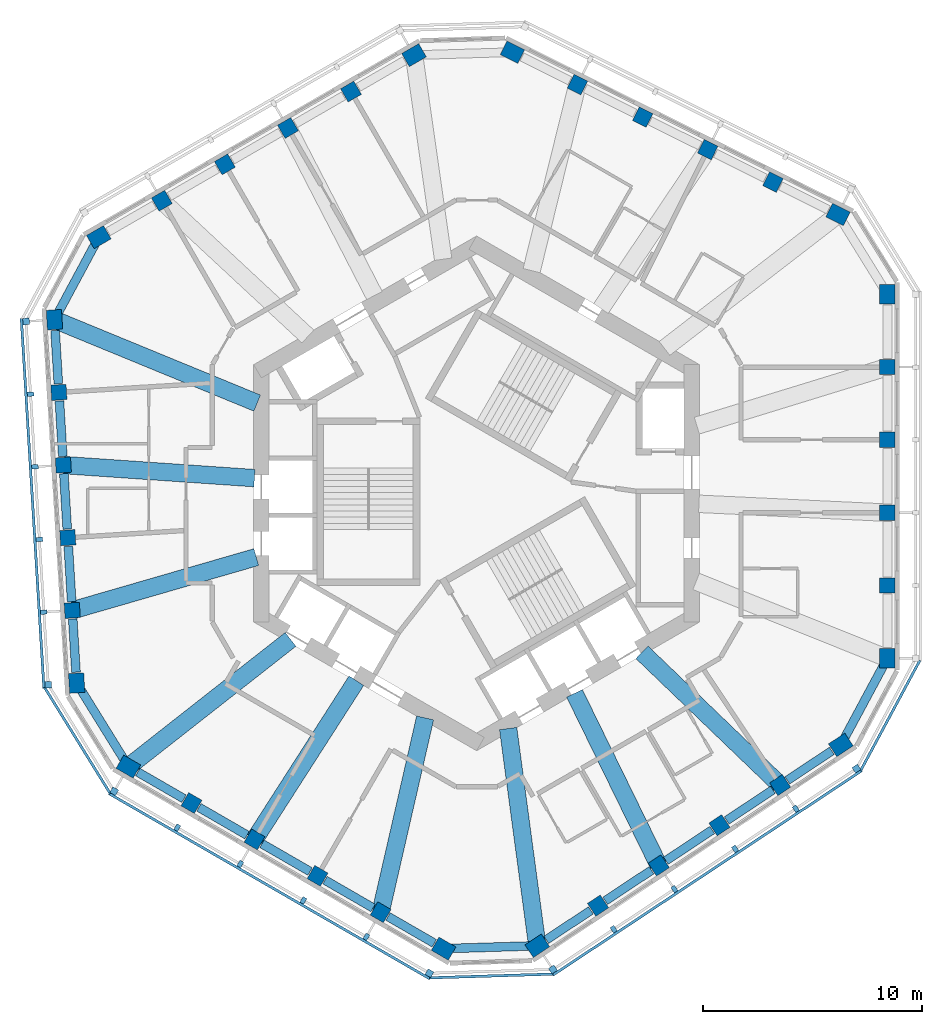
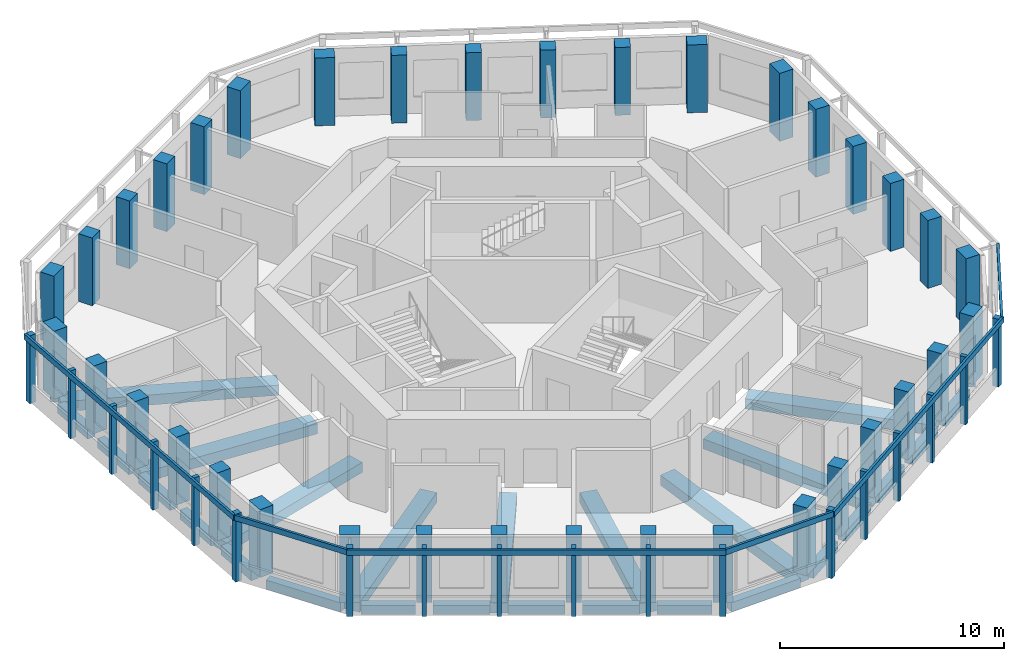
# One storey, part 1 of 11: 36 columns, 28 beams, 24 members, 6 elements without a shape of their own.
"""IFC4 building model written with IfcOpenShell, lengths in metres."""

from ifc_helpers import new_model, si_unit, direction, frame, origin, origin_2d, place, context, subcontext, project, spatial, rectangle, extrude, material, material_profile, profile_set, type_object, element, aggregate, save


model = new_model("IFC4")

# Units and contexts
model_context = context("Model", 3, precision=1e-05, world=origin(), true_north=direction((0.0, 1.0)))
body_context = subcontext(model_context, "Body", "Model", "MODEL_VIEW")
ifc_project = project(units=[si_unit("LENGTHUNIT", "METRE"), si_unit("AREAUNIT", "SQUARE_METRE"), si_unit("VOLUMEUNIT", "CUBIC_METRE"), si_unit("PLANEANGLEUNIT", "RADIAN"), si_unit("MASSUNIT", "GRAM", prefix="KILO")], contexts=[model_context])

# Site, building, storey
site_placement = place(None, origin())
site = spatial("IfcSite", under=ifc_project, at=site_placement, CompositionType="ELEMENT")
building_placement = place(site_placement, origin())
building = spatial("IfcBuilding", under=site, at=building_placement, Name="Vanh Sen Convention Tower", CompositionType="ELEMENT")
storey_placement = place(building_placement, frame((0.0, 0.0, 293.10009765625)))
storey = spatial("IfcBuildingStorey", under=building, at=storey_placement, Name="L72", CompositionType="ELEMENT", Elevation=293.10009765625)

# Columns
ifc_material_1 = material(Name="Concrete C60/75", Category="concrete")
ifc_material_profile_1 = material_profile(ifc_material_1, rectangle(XDim=0.699951171875, YDim=0.699951171875, at=origin_2d()), Name="RC 700X700")
ifc_profile_set_1 = profile_set([ifc_material_profile_1], Name="Concrete C60/75")
column_type_1 = type_object("IfcColumnType", Name="Facade column 700 x 700 C60/75", PredefinedType="COLUMN", material=ifc_profile_set_1)
for number, where, z_axis, x_axis, name in (
    (1, (18.800048828125, -4.215087890625, 0.0), (0.0, 0.0, 1.0), (0.0, 1.0, 0.0), "Facade column 02 L72"),
    (2, (18.800048828125, -0.88330078125, 0.0), (0.0, 0.0, 1.0), (0.0, 1.0, 0.0), "Facade column 03 L72"),
    (3, (18.800048828125, 2.4482421875, 0.0), (0.0, 0.0, 1.0), (0.0, 1.0, 0.0), "Facade column 04 L72"),
    (4, (18.800048828125, 5.77978515625, 0.0), (0.0, 0.0, 1.0), (0.0, 1.0, 0.0), "Facade column 05 L72"),
    (5, (13.56103515625, 14.245849609375, 0.0), (0.0, 0.0, 1.0), (-0.894934361602, 0.44619781311, 0.0), "Facade column 08 L72"),
    (6, (10.57958984375, 15.732421875, 0.0), (0.0, 0.0, 1.0), (-0.894934361602, 0.44619781311, 0.0), "Facade column 09 L72"),
    (7, (7.597900390625, 17.218994140625, 0.0), (0.0, 0.0, 1.0), (-0.894934361602, 0.44619781311, 0.0), "Facade column 10 L72"),
    (8, (4.6162109375, 18.70556640625, 0.0), (0.0, 0.0, 1.0), (-0.894934361602, 0.44619781311, 0.0), "Facade column 11 L72"),
    (9, (-5.74951171875, 18.388916015625, 0.0), (0.0, 0.0, 1.0), (-0.866025403784, -0.5, 0.0), "Facade column 14 L72"),
    (10, (-8.635009765625, 16.722900390625, 0.0), (0.0, 0.0, 1.0), (-0.866025403784, -0.5, 0.0), "Facade column 15 L72"),
    (11, (-11.520263671875, 15.05712890625, 0.0), (0.0, 0.0, 1.0), (-0.866025403784, -0.5, 0.0), "Facade column 16 L72"),
    (12, (-14.405517578125, 13.391357421875, 0.0), (0.0, 0.0, 1.0), (-0.866025403784, -0.5, 0.0), "Facade column 17 L72"),
    (13, (-19.117919921875, 4.621337890625, 0.0), (0.0, 0.0, 1.0), (0.061048539535, -0.998134798422, 0.0), "Facade column 20 L72"),
    (14, (-18.914306640625, 1.2958984375, 0.0), (0.0, 0.0, 1.0), (0.061048539535, -0.998134798422, 0.0), "Facade column 21 L72"),
    (15, (-18.7109375, -2.029541015625, 0.0), (0.0, 0.0, 1.0), (0.061048539535, -0.998134798422, 0.0), "Facade column 22 L72"),
    (16, (-18.507568359375, -5.35498046875, 0.0), (0.0, 0.0, 1.0), (0.061048539535, -0.998134798422, 0.0), "Facade column 23 L72"),
    (17, (-13.05029296875, -14.173583984375, 0.0), (0.0, 0.0, 1.0), (0.866025403784, -0.5, 0.0), "Facade column 26 L72"),
    (18, (-10.1650390625, -15.839599609375, 0.0), (0.0, 0.0, 1.0), (0.866025403784, -0.5, 0.0), "Facade column 27 L72"),
    (19, (-7.27978515625, -17.50537109375, 0.0), (0.0, 0.0, 1.0), (0.866025403784, -0.5, 0.0), "Facade column 28 L72"),
    (20, (-4.39453125, -19.171142578125, 0.0), (0.0, 0.0, 1.0), (0.866025403784, -0.5, 0.0), "Facade column 29 L72"),
    (21, (5.556640625, -18.8671875, 0.0), (0.0, 0.0, 1.0), (0.833885822067, 0.551936985312, 0.0), "Facade column 32 L72"),
    (22, (8.3349609375, -17.0283203125, 0.0), (0.0, 0.0, 1.0), (0.833885822067, 0.551936985312, 0.0), "Facade column 33 L72"),
    (23, (11.113037109375, -15.189453125, 0.0), (0.0, 0.0, 1.0), (0.833885822067, 0.551936985312, 0.0), "Facade column 34 L72"),
    (24, (13.891357421875, -13.3505859375, 0.0), (0.0, 0.0, 1.0), (0.833885822067, 0.551936985312, 0.0), "Facade column 35 L72"),
):
    element("IfcColumn", number, at=place(storey_placement, frame(where, z_axis=z_axis, x_axis=x_axis)), inside=storey, type_object=column_type_1, Name=name, PredefinedType="COLUMN", context=body_context, shape_type="SweptSolid", body=[
        extrude(rectangle(XDim=0.699951171875, YDim=0.699951171875, at=origin_2d()), origin(), (0.0, 0.0, 1.0), 3.699951171875),
    ])
ifc_material_profile_2 = material_profile(ifc_material_1, rectangle(XDim=0.89990234375, YDim=0.699951171875, at=origin_2d()), Name="RC 900X700")
ifc_profile_set_2 = profile_set([ifc_material_profile_2], Name="Concrete C60/75")
column_type_2 = type_object("IfcColumnType", Name="Facade corner column 900 x 700 C60/75", PredefinedType="COLUMN", material=ifc_profile_set_2)
for number, where, z_axis, x_axis, name in (
    (25, (18.800048828125, -7.546630859375, 0.0), (0.0, 0.0, 1.0), (0.0, 1.0, 0.0), "Facade column 01 L72"),
    (26, (18.800048828125, 9.111572265625, 0.0), (0.0, 0.0, 1.0), (0.0, 1.0, 0.0), "Facade column 06 L72"),
    (27, (16.542724609375, 12.75927734375, 0.0), (0.0, 0.0, 1.0), (-0.894934361602, 0.44619781311, 0.0), "Facade column 07 L72"),
    (28, (1.634765625, 20.192138671875, 0.0), (0.0, 0.0, 1.0), (-0.894934361602, 0.44619781311, 0.0), "Facade column 12 L72"),
    (29, (-2.8642578125, 20.0546875, 0.0), (0.0, 0.0, 1.0), (-0.866025403784, -0.5, 0.0), "Facade column 13 L72"),
    (30, (-17.290771484375, 11.7255859375, 0.0), (0.0, 0.0, 1.0), (-0.866025403784, -0.5, 0.0), "Facade column 18 L72"),
    (31, (-19.3212890625, 7.94677734375, 0.0), (0.0, 0.0, 1.0), (0.061048539535, -0.998134798422, 0.0), "Facade column 19 L72"),
    (32, (-18.30419921875, -8.680419921875, 0.0), (0.0, 0.0, 1.0), (0.061048539535, -0.998134798422, 0.0), "Facade column 24 L72"),
    (33, (-15.935791015625, -12.5078125, 0.0), (0.0, 0.0, 1.0), (0.866025403784, -0.5, 0.0), "Facade column 25 L72"),
    (34, (-1.50927734375, -20.8369140625, 0.0), (0.0, 0.0, 1.0), (0.866025403784, -0.5, 0.0), "Facade column 30 L72"),
    (35, (2.7783203125, -20.7060546875, 0.0), (0.0, 0.0, 1.0), (0.833885822067, 0.551936985312, 0.0), "Facade column 31 L72"),
    (36, (16.66943359375, -11.51171875, 0.0), (0.0, 0.0, 1.0), (0.833885822067, 0.551936985312, 0.0), "Facade column 36 L72"),
):
    element("IfcColumn", number, at=place(storey_placement, frame(where, z_axis=z_axis, x_axis=x_axis)), inside=storey, type_object=column_type_2, Name=name, PredefinedType="COLUMN", context=body_context, shape_type="SweptSolid", body=[
        extrude(rectangle(XDim=0.89990234375, YDim=0.699951171875, at=origin_2d()), origin(), (0.0, 0.0, 1.0), 3.699951171875),
    ])

# Curtain wall, members
ifc_material_2 = material(Name="Concrete C50/60", Category="concrete")
curtain_wall_type = type_object("IfcCurtainWallType", Name="Outer skin office zone", PredefinedType="NOTDEFINED", material=ifc_material_2)
curtain_wall_1_placement = place(storey_placement, origin())
curtain_wall_1 = element("IfcCurtainWall", 37, at=curtain_wall_1_placement, inside=storey, type_object=curtain_wall_type, Name="OUTER SKIN W L72", PredefinedType="NOTDEFINED")
ifc_material_profile_3 = material_profile(ifc_material_2, rectangle(XDim=0.300048828125, YDim=0.300048828125, at=origin_2d()), Name="Outer skin precast corner fin 300 x 300")
ifc_profile_set_3 = profile_set([ifc_material_profile_3], Name="Concrete C50/60")
member_type_1 = type_object("IfcMemberType", Name="Outer skin precast corner fin 300 x 300", PredefinedType="MULLION", material=ifc_profile_set_3)
member_1_placement = place(storey_placement, frame((-20.618896484375, 7.867431640625, 0.0), z_axis=(0.0, 0.0, 1.0), x_axis=(0.061048539535, -0.998134798422, 0.0)))
member_1 = element("IfcMember", 38, at=member_1_placement, type_object=member_type_1, Name="OUTER SKIN CORNER FIN 1 W L72", PredefinedType="MULLION", context=body_context, shape_type="SweptSolid", body=[
    extrude(rectangle(XDim=0.300048828125, YDim=0.300048828125, at=origin_2d()), origin(), (0.0, 0.0, 1.0), 3.699951171875),
])
member_2_placement = place(storey_placement, frame((-19.601806640625, -8.759765625, 0.0), z_axis=(0.0, 0.0, 1.0), x_axis=(0.061048539535, -0.998134798422, 0.0)))
member_2 = element("IfcMember", 39, at=member_2_placement, type_object=member_type_1, Name="OUTER SKIN CORNER FIN 6 W L72", PredefinedType="MULLION", context=body_context, shape_type="SweptSolid", body=[
    extrude(rectangle(XDim=0.300048828125, YDim=0.300048828125, at=origin_2d()), origin(), (0.0, 0.0, 1.0), 3.699951171875),
])

curtain_wall_2_placement = place(storey_placement, origin())
curtain_wall_2 = element("IfcCurtainWall", 40, at=curtain_wall_2_placement, inside=storey, type_object=curtain_wall_type, Name="OUTER SKIN SW L72", PredefinedType="NOTDEFINED")
member_3_placement = place(storey_placement, frame((-16.585693359375, -13.6337890625, 0.0), z_axis=(0.0, 0.0, 1.0), x_axis=(0.866025403784, -0.5, 0.0)))
member_3 = element("IfcMember", 41, at=member_3_placement, type_object=member_type_1, Name="OUTER SKIN CORNER FIN 1 SW L72", PredefinedType="MULLION", context=body_context, shape_type="SweptSolid", body=[
    extrude(rectangle(XDim=0.300048828125, YDim=0.300048828125, at=origin_2d()), origin(), (0.0, 0.0, 1.0), 3.699951171875),
])
member_4_placement = place(storey_placement, frame((-2.1591796875, -21.962890625, 0.0), z_axis=(0.0, 0.0, 1.0), x_axis=(0.866025403784, -0.5, 0.0)))
member_4 = element("IfcMember", 42, at=member_4_placement, type_object=member_type_1, Name="OUTER SKIN CORNER FIN 6 SW L72", PredefinedType="MULLION", context=body_context, shape_type="SweptSolid", body=[
    extrude(rectangle(XDim=0.300048828125, YDim=0.300048828125, at=origin_2d()), origin(), (0.0, 0.0, 1.0), 3.699951171875),
])

curtain_wall_3_placement = place(storey_placement, origin())
curtain_wall_3 = element("IfcCurtainWall", 43, at=curtain_wall_3_placement, inside=storey, type_object=curtain_wall_type, Name="OUTER SKIN SE L72", PredefinedType="NOTDEFINED")
member_5_placement = place(storey_placement, frame((3.495849609375, -21.7900390625, 0.0), z_axis=(0.0, 0.0, 1.0), x_axis=(0.833885822067, 0.551936985312, 0.0)))
member_5 = element("IfcMember", 44, at=member_5_placement, type_object=member_type_1, Name="OUTER SKIN CORNER FIN 1 SE L72", PredefinedType="MULLION", context=body_context, shape_type="SweptSolid", body=[
    extrude(rectangle(XDim=0.300048828125, YDim=0.300048828125, at=origin_2d()), origin(), (0.0, 0.0, 1.0), 3.699951171875),
])
member_6_placement = place(storey_placement, frame((17.386962890625, -12.595703125, 0.0), z_axis=(0.0, 0.0, 1.0), x_axis=(0.833885822067, 0.551936985312, 0.0)))
member_6 = element("IfcMember", 45, at=member_6_placement, type_object=member_type_1, Name="OUTER SKIN CORNER FIN 6 SE L72", PredefinedType="MULLION", context=body_context, shape_type="SweptSolid", body=[
    extrude(rectangle(XDim=0.300048828125, YDim=0.300048828125, at=origin_2d()), origin(), (0.0, 0.0, 1.0), 3.699951171875),
])

# Member
ifc_material_profile_4 = material_profile(ifc_material_2, rectangle(XDim=0.199951171875, YDim=0.300048828125, at=origin_2d()), Name="Outer skin precast fin 200 x 300")
ifc_profile_set_4 = profile_set([ifc_material_profile_4], Name="Concrete C50/60")
member_type_2 = type_object("IfcMemberType", Name="Outer skin precast fin 200 x 300", PredefinedType="MULLION", material=ifc_profile_set_4)
member_7_placement = place(storey_placement, frame((-20.415283203125, 4.5419921875, 0.0), z_axis=(0.0, 0.0, 1.0), x_axis=(0.061048539535, -0.998134798422, 0.0)))
member_7 = element("IfcMember", 46, at=member_7_placement, type_object=member_type_2, Name="OUTER SKIN fin 2 W L72", PredefinedType="MULLION", context=body_context, shape_type="SweptSolid", body=[
    extrude(rectangle(XDim=0.199951171875, YDim=0.300048828125, at=origin_2d()), origin(), (0.0, 0.0, 1.0), 3.699951171875),
])

member_8_placement = place(storey_placement, frame((-20.2119140625, 1.216552734375, 0.0), z_axis=(0.0, 0.0, 1.0), x_axis=(0.061048539535, -0.998134798422, 0.0)))
member_8 = element("IfcMember", 47, at=member_8_placement, type_object=member_type_2, Name="OUTER SKIN fin 3 W L72", PredefinedType="MULLION", context=body_context, shape_type="SweptSolid", body=[
    extrude(rectangle(XDim=0.199951171875, YDim=0.300048828125, at=origin_2d()), origin(), (0.0, 0.0, 1.0), 3.699951171875),
])

member_9_placement = place(storey_placement, frame((-20.008544921875, -2.10888671875, 0.0), z_axis=(0.0, 0.0, 1.0), x_axis=(0.061048539535, -0.998134798422, 0.0)))
member_9 = element("IfcMember", 48, at=member_9_placement, type_object=member_type_2, Name="OUTER SKIN fin 4 W L72", PredefinedType="MULLION", context=body_context, shape_type="SweptSolid", body=[
    extrude(rectangle(XDim=0.199951171875, YDim=0.300048828125, at=origin_2d()), origin(), (0.0, 0.0, 1.0), 3.699951171875),
])

member_10_placement = place(storey_placement, frame((-19.80517578125, -5.434326171875, 0.0), z_axis=(0.0, 0.0, 1.0), x_axis=(0.061048539535, -0.998134798422, 0.0)))
member_10 = element("IfcMember", 49, at=member_10_placement, type_object=member_type_2, Name="OUTER SKIN fin 5 W L72", PredefinedType="MULLION", context=body_context, shape_type="SweptSolid", body=[
    extrude(rectangle(XDim=0.199951171875, YDim=0.300048828125, at=origin_2d()), origin(), (0.0, 0.0, 1.0), 3.699951171875),
])

member_11_placement = place(storey_placement, frame((-13.700439453125, -15.299560546875, 0.0), z_axis=(0.0, 0.0, 1.0), x_axis=(0.866025403784, -0.5, 0.0)))
member_11 = element("IfcMember", 50, at=member_11_placement, type_object=member_type_2, Name="OUTER SKIN fin 2 SW L72", PredefinedType="MULLION", context=body_context, shape_type="SweptSolid", body=[
    extrude(rectangle(XDim=0.199951171875, YDim=0.300048828125, at=origin_2d()), origin(), (0.0, 0.0, 1.0), 3.699951171875),
])

member_12_placement = place(storey_placement, frame((-10.815185546875, -16.96533203125, 0.0), z_axis=(0.0, 0.0, 1.0), x_axis=(0.866025403784, -0.5, 0.0)))
member_12 = element("IfcMember", 51, at=member_12_placement, type_object=member_type_2, Name="OUTER SKIN fin 3 SW L72", PredefinedType="MULLION", context=body_context, shape_type="SweptSolid", body=[
    extrude(rectangle(XDim=0.199951171875, YDim=0.300048828125, at=origin_2d()), origin(), (0.0, 0.0, 1.0), 3.699951171875),
])

member_13_placement = place(storey_placement, frame((-7.9296875, -18.631103515625, 0.0), z_axis=(0.0, 0.0, 1.0), x_axis=(0.866025403784, -0.5, 0.0)))
member_13 = element("IfcMember", 52, at=member_13_placement, type_object=member_type_2, Name="OUTER SKIN fin 4 SW L72", PredefinedType="MULLION", context=body_context, shape_type="SweptSolid", body=[
    extrude(rectangle(XDim=0.199951171875, YDim=0.300048828125, at=origin_2d()), origin(), (0.0, 0.0, 1.0), 3.699951171875),
])

member_14_placement = place(storey_placement, frame((-5.04443359375, -20.297119140625, 0.0), z_axis=(0.0, 0.0, 1.0), x_axis=(0.866025403784, -0.5, 0.0)))
member_14 = element("IfcMember", 53, at=member_14_placement, type_object=member_type_2, Name="OUTER SKIN fin 5 SW L72", PredefinedType="MULLION", context=body_context, shape_type="SweptSolid", body=[
    extrude(rectangle(XDim=0.199951171875, YDim=0.300048828125, at=origin_2d()), origin(), (0.0, 0.0, 1.0), 3.699951171875),
])

member_15_placement = place(storey_placement, frame((6.274169921875, -19.951416015625, 0.0), z_axis=(0.0, 0.0, 1.0), x_axis=(0.833885822067, 0.551936985312, 0.0)))
member_15 = element("IfcMember", 54, at=member_15_placement, type_object=member_type_2, Name="OUTER SKIN fin 2 SE L72", PredefinedType="MULLION", context=body_context, shape_type="SweptSolid", body=[
    extrude(rectangle(XDim=0.199951171875, YDim=0.300048828125, at=origin_2d()), origin(), (0.0, 0.0, 1.0), 3.699951171875),
])

member_16_placement = place(storey_placement, frame((9.052490234375, -18.1123046875, 0.0), z_axis=(0.0, 0.0, 1.0), x_axis=(0.833885822067, 0.551936985312, 0.0)))
member_16 = element("IfcMember", 55, at=member_16_placement, type_object=member_type_2, Name="OUTER SKIN fin 3 SE L72", PredefinedType="MULLION", context=body_context, shape_type="SweptSolid", body=[
    extrude(rectangle(XDim=0.199951171875, YDim=0.300048828125, at=origin_2d()), origin(), (0.0, 0.0, 1.0), 3.699951171875),
])

member_17_placement = place(storey_placement, frame((11.83056640625, -16.273681640625, 0.0), z_axis=(0.0, 0.0, 1.0), x_axis=(0.833885822067, 0.551936985312, 0.0)))
member_17 = element("IfcMember", 56, at=member_17_placement, type_object=member_type_2, Name="OUTER SKIN fin 4 SE L72", PredefinedType="MULLION", context=body_context, shape_type="SweptSolid", body=[
    extrude(rectangle(XDim=0.199951171875, YDim=0.300048828125, at=origin_2d()), origin(), (0.0, 0.0, 1.0), 3.699951171875),
])

member_18_placement = place(storey_placement, frame((14.60888671875, -14.434814453125, 0.0), z_axis=(0.0, 0.0, 1.0), x_axis=(0.833885822067, 0.551936985312, 0.0)))
member_18 = element("IfcMember", 57, at=member_18_placement, type_object=member_type_2, Name="OUTER SKIN fin 5 SE L72", PredefinedType="MULLION", context=body_context, shape_type="SweptSolid", body=[
    extrude(rectangle(XDim=0.199951171875, YDim=0.300048828125, at=origin_2d()), origin(), (0.0, 0.0, 1.0), 3.699951171875),
])

ifc_material_profile_5 = material_profile(ifc_material_2, rectangle(XDim=0.1201171875, YDim=0.300048828125, at=origin_2d()), Name="Outer skin precast spandrel band 300 x 120")
ifc_profile_set_5 = profile_set([ifc_material_profile_5], Name="Concrete C50/60")
member_type_3 = type_object("IfcMemberType", Name="Outer skin precast spandrel band 300 x 120", PredefinedType="USERDEFINED", material=ifc_profile_set_5)
member_19_placement = place(storey_placement, frame((-20.83740234375, 8.00439453125, 3.5498046875), z_axis=(0.061040984027, -0.998135260508, 0.0), x_axis=(0.998135260508, 0.061040984027, 0.0)))
member_19 = element("IfcMember", 58, at=member_19_placement, type_object=member_type_3, Name="OUTER SKIN spandrel band W L72", ObjectType="TRANSOM", PredefinedType="USERDEFINED", context=body_context, shape_type="SweptSolid", body=[
    extrude(rectangle(XDim=0.1201171875, YDim=0.300048828125, at=origin_2d()), origin(), (0.0, 0.0, 1.0), 16.95849609375),
])

aggregate(curtain_wall_1, [member_1, member_7, member_8, member_9, member_10, member_2, member_19])

# Curtain wall, member
curtain_wall_4_placement = place(storey_placement, origin())
curtain_wall_4 = element("IfcCurtainWall", 59, at=curtain_wall_4_placement, inside=storey, type_object=curtain_wall_type, Name="OUTER SKIN CH4 L72", PredefinedType="NOTDEFINED")
member_20_placement = place(storey_placement, frame((-19.7802734375, -8.870361328125, 3.5498046875), z_axis=(0.526199162152, -0.850361359512, 0.0), x_axis=(0.850361359512, 0.526199162152, 0.0)))
member_20 = element("IfcMember", 60, at=member_20_placement, type_object=member_type_3, Name="OUTER SKIN spandrel band CH4 L72", ObjectType="TRANSOM", PredefinedType="USERDEFINED", context=body_context, shape_type="SweptSolid", body=[
    extrude(rectangle(XDim=0.1201171875, YDim=0.300048828125, at=origin_2d()), origin(), (0.0, 0.0, 1.0), 5.7314453125),
])
aggregate(curtain_wall_4, [member_20])

# Member
member_21_placement = place(storey_placement, frame((-16.820556640625, -13.740478515625, 3.5498046875), z_axis=(0.866022320763, -0.500005339912, 0.0), x_axis=(0.500005339912, 0.866022320763, 0.0)))
member_21 = element("IfcMember", 61, at=member_21_placement, type_object=member_type_3, Name="OUTER SKIN spandrel band SW L72", ObjectType="TRANSOM", PredefinedType="USERDEFINED", context=body_context, shape_type="SweptSolid", body=[
    extrude(rectangle(XDim=0.1201171875, YDim=0.300048828125, at=origin_2d()), origin(), (0.0, 0.0, 1.0), 16.958251953125),
])

aggregate(curtain_wall_2, [member_3, member_11, member_12, member_13, member_14, member_4, member_21])

# Curtain wall, member
curtain_wall_5_placement = place(storey_placement, origin())
curtain_wall_5 = element("IfcCurtainWall", 62, at=curtain_wall_5_placement, inside=storey, type_object=curtain_wall_type, Name="OUTER SKIN CH5 L72", PredefinedType="NOTDEFINED")
member_22_placement = place(storey_placement, frame((-2.15283203125, -22.172607421875, 3.5498046875), z_axis=(0.999534504066, 0.030508608314, 0.0), x_axis=(-0.030508608314, 0.999534504066, 0.0)))
member_22 = element("IfcMember", 63, at=member_22_placement, type_object=member_type_3, Name="OUTER SKIN spandrel band CH5 L72", ObjectType="TRANSOM", PredefinedType="USERDEFINED", context=body_context, shape_type="SweptSolid", body=[
    extrude(rectangle(XDim=0.1201171875, YDim=0.300048828125, at=origin_2d()), origin(), (0.0, 0.0, 1.0), 5.65771484375),
])
aggregate(curtain_wall_5, [member_22])

# Member
member_23_placement = place(storey_placement, frame((3.48681640625, -22.048095703125, 3.5498046875), z_axis=(0.833877443168, 0.551949644239, 0.0), x_axis=(-0.551949644239, 0.833877443168, 0.0)))
member_23 = element("IfcMember", 64, at=member_23_placement, type_object=member_type_3, Name="OUTER SKIN spandrel band SE L72", ObjectType="TRANSOM", PredefinedType="USERDEFINED", context=body_context, shape_type="SweptSolid", body=[
    extrude(rectangle(XDim=0.1201171875, YDim=0.300048828125, at=origin_2d()), origin(), (0.0, 0.0, 1.0), 16.958251953125),
])

aggregate(curtain_wall_3, [member_5, member_15, member_16, member_17, member_18, member_6, member_23])

# Curtain wall, member
curtain_wall_6_placement = place(storey_placement, origin())
curtain_wall_6 = element("IfcCurtainWall", 65, at=curtain_wall_6_placement, inside=storey, type_object=curtain_wall_type, Name="OUTER SKIN CH6 L72", PredefinedType="NOTDEFINED")
member_24_placement = place(storey_placement, frame((17.572021484375, -12.695068359375, 3.5498046875), z_axis=(0.473309680768, 0.880896104028, 0.0), x_axis=(-0.880896104028, 0.473309680768, 0.0)))
member_24 = element("IfcMember", 66, at=member_24_placement, type_object=member_type_3, Name="OUTER SKIN spandrel band CH6 L72", ObjectType="TRANSOM", PredefinedType="USERDEFINED", context=body_context, shape_type="SweptSolid", body=[
    extrude(rectangle(XDim=0.1201171875, YDim=0.300048828125, at=origin_2d()), origin(), (0.0, 0.0, 1.0), 5.731689453125),
])
aggregate(curtain_wall_6, [member_24])

# Beams
ifc_material_3 = material(Name="Concrete C50/60", Category="concrete")
ifc_material_profile_6 = material_profile(ifc_material_3, rectangle(XDim=0.800048828125, YDim=0.550048828125, at=origin_2d()), Name="RC 800X550")
ifc_profile_set_6 = profile_set([ifc_material_profile_6], Name="Concrete C50/60")
beam_type_1 = type_object("IfcBeamType", Name="Radial floor beam 800 x 550", PredefinedType="BEAM", material=ifc_profile_set_6)
beam_1_placement = place(storey_placement, frame((-19.1455078125, 7.87451171875, -0.55517578125), z_axis=(0.924833681103, -0.380371742243, 0.0), x_axis=(0.380371742243, 0.924833681103, 0.0)))
element("IfcBeam", 67, at=beam_1_placement, inside=storey, type_object=beam_type_1, Name="Radial beam 10 L72", PredefinedType="BEAM", context=body_context, shape_type="SweptSolid", body=[
    extrude(rectangle(XDim=0.800048828125, YDim=0.550048828125, at=origin_2d()), origin(), (0.0, 0.0, 1.0), 9.842041015625),
])
beam_2_placement = place(storey_placement, frame((-18.8935546875, 1.29443359375, -0.55517578125), z_axis=(0.997660687901, -0.06836045507, 0.0), x_axis=(0.06836045507, 0.997660687901, 0.0)))
element("IfcBeam", 68, at=beam_2_placement, inside=storey, type_object=beam_type_1, Name="Radial beam 11 L72", PredefinedType="BEAM", context=body_context, shape_type="SweptSolid", body=[
    extrude(rectangle(XDim=0.800048828125, YDim=0.550048828125, at=origin_2d()), origin(), (0.0, 0.0, 1.0), 8.746337890625),
])
beam_3_placement = place(storey_placement, frame((-18.469970703125, -5.343994140625, -0.55517578125), z_axis=(0.960602585622, 0.277925660017, 0.0), x_axis=(-0.277925660017, 0.960602585622, 0.0)))
element("IfcBeam", 69, at=beam_3_placement, inside=storey, type_object=beam_type_1, Name="Radial beam 12 L72", PredefinedType="BEAM", context=body_context, shape_type="SweptSolid", body=[
    extrude(rectangle(XDim=0.800048828125, YDim=0.550048828125, at=origin_2d()), origin(), (0.0, 0.0, 1.0), 8.72998046875),
])
beam_4_placement = place(storey_placement, frame((-15.769287109375, -12.377197265625, -0.55517578125), z_axis=(0.786644383436, 0.617406360518, 0.0), x_axis=(-0.617406360518, 0.786644383436, 0.0)))
element("IfcBeam", 70, at=beam_4_placement, inside=storey, type_object=beam_type_1, Name="Radial beam 13 L72", PredefinedType="BEAM", context=body_context, shape_type="SweptSolid", body=[
    extrude(rectangle(XDim=0.800048828125, YDim=0.550048828125, at=origin_2d()), origin(), (0.0, 0.0, 1.0), 9.220947265625),
])
beam_5_placement = place(storey_placement, frame((-10.162841796875, -15.836181640625, -0.55517578125), z_axis=(0.540095369263, 0.841603821344, 0.0), x_axis=(-0.841603821344, 0.540095369263, 0.0)))
element("IfcBeam", 71, at=beam_5_placement, inside=storey, type_object=beam_type_1, Name="Radial beam 14 L72", PredefinedType="BEAM", context=body_context, shape_type="SweptSolid", body=[
    extrude(rectangle(XDim=0.800048828125, YDim=0.550048828125, at=origin_2d()), origin(), (0.0, 0.0, 1.0), 8.62939453125),
])
beam_6_placement = place(storey_placement, frame((-4.382080078125, -19.117431640625, -0.55517578125), z_axis=(0.223412386111, 0.974724015161, 0.0), x_axis=(-0.974724015161, 0.223412386111, 0.0)))
element("IfcBeam", 72, at=beam_6_placement, inside=storey, type_object=beam_type_1, Name="Radial beam 15 L72", PredefinedType="BEAM", context=body_context, shape_type="SweptSolid", body=[
    extrude(rectangle(XDim=0.800048828125, YDim=0.550048828125, at=origin_2d()), origin(), (0.0, 0.0, 1.0), 9.070068359375),
])
beam_7_placement = place(storey_placement, frame((2.753173828125, -20.517578125, -0.55517578125), z_axis=(-0.133011855208, 0.991114446658, 0.0), x_axis=(-0.991114446658, -0.133011855208, 0.0)))
element("IfcBeam", 73, at=beam_7_placement, inside=storey, type_object=beam_type_1, Name="Radial beam 16 L72", PredefinedType="BEAM", context=body_context, shape_type="SweptSolid", body=[
    extrude(rectangle(XDim=0.800048828125, YDim=0.550048828125, at=origin_2d()), origin(), (0.0, 0.0, 1.0), 9.841796875),
])
beam_8_placement = place(storey_placement, frame((8.32568359375, -17.009521484375, -0.55517578125), z_axis=(-0.439638631448, 0.898174745658, 0.0), x_axis=(-0.898174745658, -0.439638631448, 0.0)))
element("IfcBeam", 74, at=beam_8_placement, inside=storey, type_object=beam_type_1, Name="Radial beam 17 L72", PredefinedType="BEAM", context=body_context, shape_type="SweptSolid", body=[
    extrude(rectangle(XDim=0.800048828125, YDim=0.550048828125, at=origin_2d()), origin(), (0.0, 0.0, 1.0), 8.746337890625),
])
beam_9_placement = place(storey_placement, frame((13.863037109375, -13.323486328125, -0.55517578125), z_axis=(-0.720992652168, 0.692942707242, 0.0), x_axis=(-0.692942707242, -0.720992652168, 0.0)))
element("IfcBeam", 75, at=beam_9_placement, inside=storey, type_object=beam_type_1, Name="Radial beam 18 L72", PredefinedType="BEAM", context=body_context, shape_type="SweptSolid", body=[
    extrude(rectangle(XDim=0.800048828125, YDim=0.550048828125, at=origin_2d()), origin(), (0.0, 0.0, 1.0), 8.72998046875),
])
ifc_material_profile_7 = material_profile(ifc_material_3, rectangle(XDim=0.39990234375, YDim=0.5, at=origin_2d()), Name="RC 400X500")
ifc_profile_set_7 = profile_set([ifc_material_profile_7], Name="Concrete C50/60")
beam_type_2 = type_object("IfcBeamType", Name="Spandrel beam 400 x 500", PredefinedType="SPANDREL", material=ifc_profile_set_7)
beam_10_placement = place(storey_placement, frame((-17.4501953125, 11.4287109375, -0.530029296875), z_axis=(-0.473326548716, -0.880887040591, 0.0), x_axis=(0.880887040591, -0.473326548716, 0.0)))
element("IfcBeam", 76, at=beam_10_placement, inside=storey, type_object=beam_type_2, Name="Spandrel beam 18 L72", PredefinedType="SPANDREL", context=body_context, shape_type="SweptSolid", body=[
    extrude(rectangle(XDim=0.39990234375, YDim=0.5, at=origin_2d()), origin(), (0.0, 0.0, 1.0), 3.61572265625),
])
beam_11_placement = place(storey_placement, frame((-19.291015625, 7.45263671875, -0.530029296875), z_axis=(0.061095831879, -0.998131904774, 0.0), x_axis=(0.998131904774, 0.061095831879, 0.0)))
element("IfcBeam", 77, at=beam_11_placement, inside=storey, type_object=beam_type_2, Name="Spandrel beam 19 L72", PredefinedType="SPANDREL", context=body_context, shape_type="SweptSolid", body=[
    extrude(rectangle(XDim=0.39990234375, YDim=0.5, at=origin_2d()), origin(), (0.0, 0.0, 1.0), 2.441650390625),
])
for number, where, z_axis, x_axis, name in (
    (78, (-19.09375, 4.22705078125, -0.530029296875), (0.061092485967, -0.998132109572, 0.0), (0.998132109572, 0.061092485967, 0.0), "Spandrel beam 20 L72"),
    (79, (-18.890380859375, 0.901611328125, -0.530029296875), (0.061092485967, -0.998132109572, 0.0), (0.998132109572, 0.061092485967, 0.0), "Spandrel beam 21 L72"),
    (80, (-18.68701171875, -2.423828125, -0.530029296875), (0.061092485967, -0.998132109572, 0.0), (0.998132109572, 0.061092485967, 0.0), "Spandrel beam 22 L72"),
):
    element("IfcBeam", number, at=place(storey_placement, frame(where, z_axis=z_axis, x_axis=x_axis)), inside=storey, type_object=beam_type_2, Name=name, PredefinedType="SPANDREL", context=body_context, shape_type="SweptSolid", body=[
        extrude(rectangle(XDim=0.39990234375, YDim=0.5, at=origin_2d()), origin(), (0.0, 0.0, 1.0), 2.54150390625),
    ])
beam_12_placement = place(storey_placement, frame((-18.4833984375, -5.749267578125, -0.530029296875), z_axis=(0.060996211033, -0.998137997593, 0.0), x_axis=(0.998137997593, 0.060996211033, 0.0)))
element("IfcBeam", 81, at=beam_12_placement, inside=storey, type_object=beam_type_2, Name="Spandrel beam 23 L72", PredefinedType="SPANDREL", context=body_context, shape_type="SweptSolid", body=[
    extrude(rectangle(XDim=0.39990234375, YDim=0.5, at=origin_2d()), origin(), (0.0, 0.0, 1.0), 2.441650390625),
])
beam_13_placement = place(storey_placement, frame((-18.113525390625, -8.988525390625, -0.530029296875), z_axis=(0.526216626043, -0.850350552699, 0.0), x_axis=(0.850350552699, 0.526216626043, 0.0)))
element("IfcBeam", 82, at=beam_13_placement, inside=storey, type_object=beam_type_2, Name="Spandrel beam 24 L72", PredefinedType="SPANDREL", context=body_context, shape_type="SweptSolid", body=[
    extrude(rectangle(XDim=0.39990234375, YDim=0.5, at=origin_2d()), origin(), (0.0, 0.0, 1.0), 3.776611328125),
])
beam_14_placement = place(storey_placement, frame((-15.507080078125, -12.75537109375, -0.530029296875), z_axis=(0.866000753341, -0.500042693391, 0.0), x_axis=(0.500042693391, 0.866000753341, 0.0)))
element("IfcBeam", 83, at=beam_14_placement, inside=storey, type_object=beam_type_2, Name="Spandrel beam 25 L72", PredefinedType="SPANDREL", context=body_context, shape_type="SweptSolid", body=[
    extrude(rectangle(XDim=0.39990234375, YDim=0.5, at=origin_2d()), origin(), (0.0, 0.0, 1.0), 2.441650390625),
])
for number, where, z_axis, x_axis, name in (
    (84, (-12.708251953125, -14.37109375, -0.530029296875), (0.866000032975, -0.500043940957, 0.0), (0.500043940957, 0.866000032975, 0.0), "Spandrel beam 26 L72"),
    (85, (-9.822998046875, -16.037109375, -0.530029296875), (0.866041625918, -0.499971901387, 0.0), (0.499971901387, 0.866041625918, 0.0), "Spandrel beam 27 L72"),
    (86, (-6.937744140625, -17.702880859375, -0.530029296875), (0.866041625918, -0.499971901387, 0.0), (0.499971901387, 0.866041625918, 0.0), "Spandrel beam 28 L72"),
):
    element("IfcBeam", number, at=place(storey_placement, frame(where, z_axis=z_axis, x_axis=x_axis)), inside=storey, type_object=beam_type_2, Name=name, PredefinedType="SPANDREL", context=body_context, shape_type="SweptSolid", body=[
        extrude(rectangle(XDim=0.39990234375, YDim=0.5, at=origin_2d()), origin(), (0.0, 0.0, 1.0), 2.541748046875),
    ])
beam_15_placement = place(storey_placement, frame((-4.052490234375, -19.36865234375, -0.530029296875), z_axis=(0.866000753341, -0.500042693391, 0.0), x_axis=(0.500042693391, 0.866000753341, 0.0)))
element("IfcBeam", 87, at=beam_15_placement, inside=storey, type_object=beam_type_2, Name="Spandrel beam 29 L72", PredefinedType="SPANDREL", context=body_context, shape_type="SweptSolid", body=[
    extrude(rectangle(XDim=0.39990234375, YDim=0.5, at=origin_2d()), origin(), (0.0, 0.0, 1.0), 2.441650390625),
])
beam_16_placement = place(storey_placement, frame((-1.17236328125, -20.82666015625, -0.530029296875), z_axis=(0.999534152423, 0.030520126792, 0.0), x_axis=(-0.030520126792, 0.999534152423, 0.0)))
element("IfcBeam", 88, at=beam_16_placement, inside=storey, type_object=beam_type_2, Name="Spandrel beam 30 L72", PredefinedType="SPANDREL", context=body_context, shape_type="SweptSolid", body=[
    extrude(rectangle(XDim=0.39990234375, YDim=0.5, at=origin_2d()), origin(), (0.0, 0.0, 1.0), 3.61572265625),
])
beam_17_placement = place(storey_placement, frame((3.191162109375, -20.432861328125, -0.530029296875), z_axis=(0.833891601137, 0.55192825399, 0.0), x_axis=(-0.55192825399, 0.833891601137, 0.0)))
element("IfcBeam", 89, at=beam_17_placement, inside=storey, type_object=beam_type_2, Name="Spandrel beam 31 L72", PredefinedType="SPANDREL", context=body_context, shape_type="SweptSolid", body=[
    extrude(rectangle(XDim=0.39990234375, YDim=0.5, at=origin_2d()), origin(), (0.0, 0.0, 1.0), 2.441650390625),
])
beam_18_placement = place(storey_placement, frame((5.885986328125, -18.649169921875, -0.530029296875), z_axis=(0.833907502564, 0.551904228257, 0.0), x_axis=(-0.551904228257, 0.833907502564, 0.0)))
element("IfcBeam", 90, at=beam_18_placement, inside=storey, type_object=beam_type_2, Name="Spandrel beam 32 L72", PredefinedType="SPANDREL", context=body_context, shape_type="SweptSolid", body=[
    extrude(rectangle(XDim=0.39990234375, YDim=0.5, at=origin_2d()), origin(), (0.0, 0.0, 1.0), 2.541748046875),
])
beam_19_placement = place(storey_placement, frame((8.664306640625, -16.810302734375, -0.530029296875), z_axis=(0.833878242334, 0.551948436868, 0.0), x_axis=(-0.551948436868, 0.833878242334, 0.0)))
element("IfcBeam", 91, at=beam_19_placement, inside=storey, type_object=beam_type_2, Name="Spandrel beam 33 L72", PredefinedType="SPANDREL", context=body_context, shape_type="SweptSolid", body=[
    extrude(rectangle(XDim=0.39990234375, YDim=0.5, at=origin_2d()), origin(), (0.0, 0.0, 1.0), 2.54150390625),
])
beam_20_placement = place(storey_placement, frame((11.4423828125, -14.971435546875, -0.530029296875), z_axis=(0.833907502564, 0.551904228257, 0.0), x_axis=(-0.551904228257, 0.833907502564, 0.0)))
element("IfcBeam", 92, at=beam_20_placement, inside=storey, type_object=beam_type_2, Name="Spandrel beam 34 L72", PredefinedType="SPANDREL", context=body_context, shape_type="SweptSolid", body=[
    extrude(rectangle(XDim=0.39990234375, YDim=0.5, at=origin_2d()), origin(), (0.0, 0.0, 1.0), 2.541748046875),
])
beam_21_placement = place(storey_placement, frame((14.220703125, -13.132568359375, -0.530029296875), z_axis=(0.833861138807, 0.551974275838, 0.0), x_axis=(-0.551974275838, 0.833861138807, 0.0)))
element("IfcBeam", 93, at=beam_21_placement, inside=storey, type_object=beam_type_2, Name="Spandrel beam 35 L72", PredefinedType="SPANDREL", context=body_context, shape_type="SweptSolid", body=[
    extrude(rectangle(XDim=0.39990234375, YDim=0.5, at=origin_2d()), origin(), (0.0, 0.0, 1.0), 2.44140625),
])
beam_22_placement = place(storey_placement, frame((16.8408203125, -11.192626953125, -0.530029296875), z_axis=(0.473317097913, 0.88089211872, 0.0), x_axis=(-0.88089211872, 0.473317097913, 0.0)))
element("IfcBeam", 94, at=beam_22_placement, inside=storey, type_object=beam_type_2, Name="Spandrel beam 36 L72", PredefinedType="SPANDREL", context=body_context, shape_type="SweptSolid", body=[
    extrude(rectangle(XDim=0.39990234375, YDim=0.5, at=origin_2d()), origin(), (0.0, 0.0, 1.0), 3.77685546875),
])

save(model, "model.ifc")
